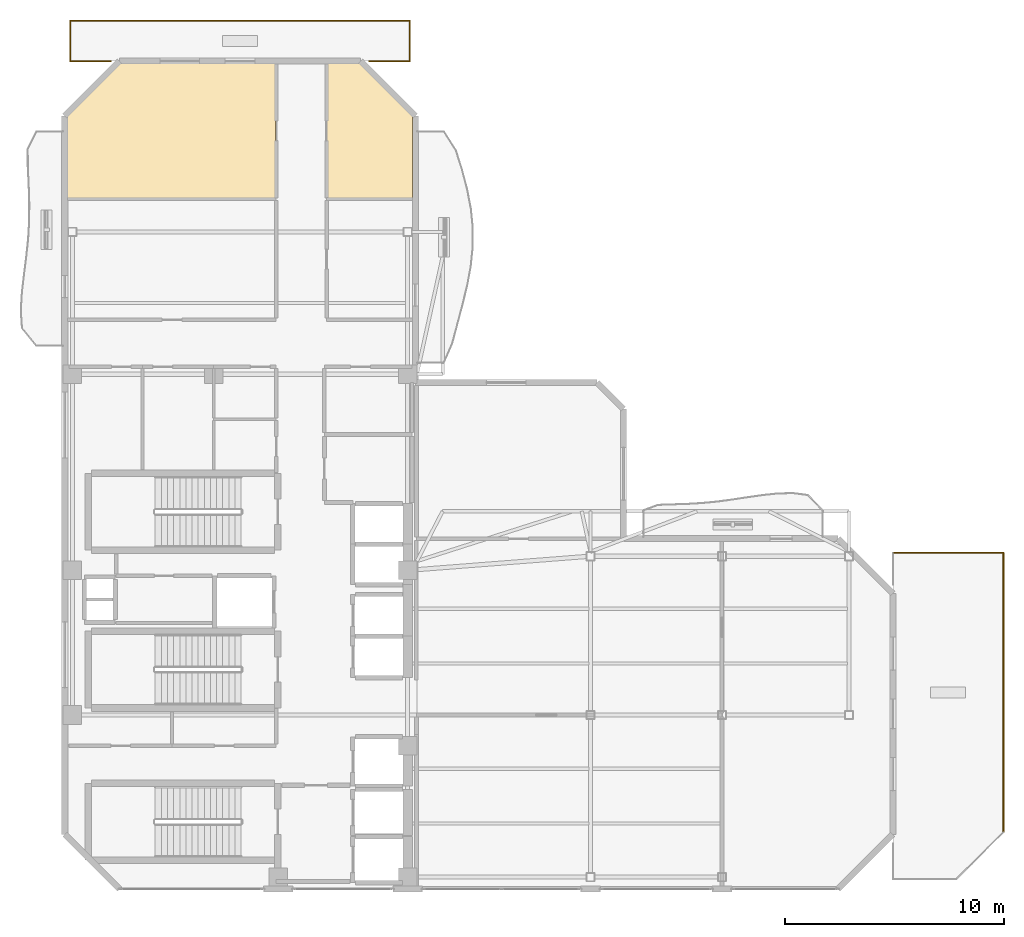
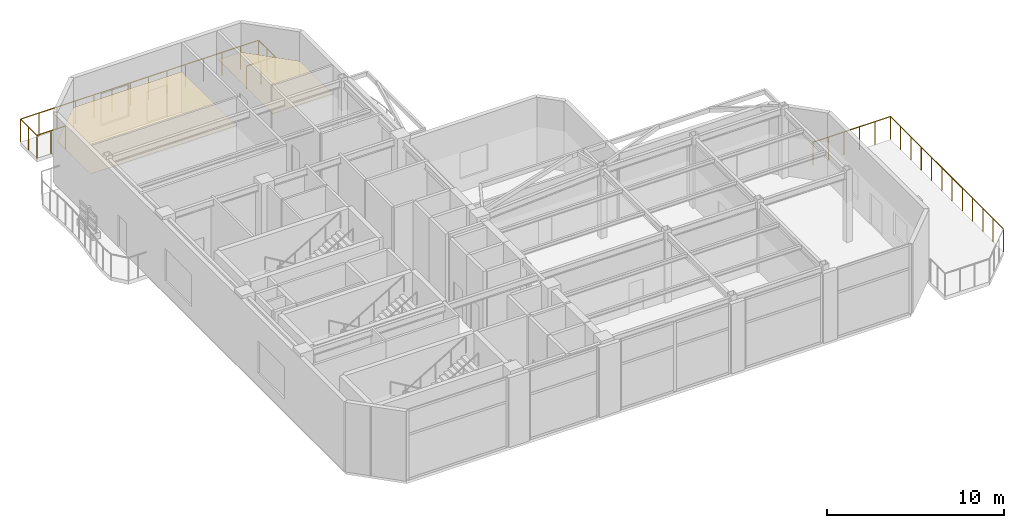
# One storey, part 14 of 14: 7 railings, 2 coverings.
"""IFC4 building model written with IfcOpenShell, lengths in metres."""

from ifc_helpers import new_model, si_unit, direction, frame, origin, origin_2d, place, context, subcontext, project, spatial, polyline, rectangle, outline, extrude, material, layer, layer_set, type_object, element, save


model = new_model("IFC4")

# Units and contexts
model_context = context("Model", 3, precision=1e-05, world=origin(), true_north=direction((0.0, 1.0)))
body_context = subcontext(model_context, "Body", "Model", "MODEL_VIEW")
ifc_project = project(units=[si_unit("LENGTHUNIT", "METRE"), si_unit("AREAUNIT", "SQUARE_METRE"), si_unit("VOLUMEUNIT", "CUBIC_METRE"), si_unit("PLANEANGLEUNIT", "RADIAN"), si_unit("MASSUNIT", "GRAM", prefix="KILO")], contexts=[model_context])

# Site, building, storey
site_placement = place(None, origin())
site = spatial("IfcSite", under=ifc_project, at=site_placement, CompositionType="ELEMENT")
building_placement = place(site_placement, origin())
building = spatial("IfcBuilding", under=site, at=building_placement, Name="Mawjaban Terraces University", CompositionType="ELEMENT")
storey_placement = place(building_placement, frame((0.0, 0.0, 243.199951171875)))
storey = spatial("IfcBuildingStorey", under=building, at=storey_placement, Name="L59", CompositionType="ELEMENT", Elevation=243.199951171875)

# Coverings
ifc_material_1 = material(Name="Acoustic mineral fibre ceiling tile", Category="masonry")
ifc_layer = layer(ifc_material_1, 0.02001953125)
ifc_layer_set = layer_set([ifc_layer], Name="Acoustic mineral fibre ceiling tile")
covering_type = type_object("IfcCoveringType", Name="AcousticMineralCeiling_20", PredefinedType="CEILING", material=ifc_layer_set)
covering_1_placement = place(storey_placement, frame((0.0, 0.0, 2.75)))
element("IfcCovering", 1, at=covering_1_placement, inside=storey, type_object=covering_type, Name="L59 Academic Fellows Office Acoustic Ceiling", PredefinedType="CEILING", context=body_context, shape_type="SweptSolid", body=[
    extrude(outline(polyline([(37.885009765625, 31.530029296875), (37.885009765625, 35.2529296875), (35.452880859375, 37.68505859375), (33.97998046875, 37.68505859375), (33.97998046875, 31.530029296875), (37.885009765625, 31.530029296875)])), origin(), (0.0, 0.0, 1.0), 0.02001953125),
])
covering_2_placement = place(storey_placement, frame((0.0, 0.0, 2.75)))
element("IfcCovering", 2, at=covering_2_placement, inside=storey, type_object=covering_type, Name="L59 Research Fellows Tea Pantry Acoustic Ceiling", PredefinedType="CEILING", context=body_context, shape_type="SweptSolid", body=[
    extrude(outline(polyline([(31.6201171875, 37.68505859375), (24.547119140625, 37.68505859375), (22.114990234375, 35.2529296875), (22.114990234375, 31.530029296875), (31.6201171875, 31.530029296875), (31.6201171875, 37.68505859375)])), origin(), (0.0, 0.0, 1.0), 0.02001953125),
])

# Railings
ifc_material_2 = material(Name="Galvanised powder-coated steel S355", Category="steel")
railing_type = type_object("IfcRailingType", Name="BalconyBalustrade_1600", PredefinedType="BALUSTRADE", material=ifc_material_2)
railing_1_placement = place(storey_placement, frame((64.85009765625, 2.60009765625, 0.0)))
element("IfcRailing", 3, at=railing_1_placement, inside=storey, type_object=railing_type, Name="L59 Terrace Guardrail TER-L59-EAST.3", PredefinedType="BALUSTRADE", context=body_context, shape_type="SweptSolid", body=[
    extrude(rectangle(XDim=0.048095703125, YDim=0.048095703125, at=origin_2d()), frame((0.0, 0.0, 1.576171875), z_axis=(0.0, 1.0, 0.0), x_axis=(-1.0, 0.0, 0.0)), (0.0, 0.0, 1.0), 12.75),
    extrude(rectangle(XDim=0.0419921875, YDim=0.0419921875, at=origin_2d()), origin(), (0.0, 0.0, 1.0), 1.552001953125),
    extrude(rectangle(XDim=0.0419921875, YDim=0.0419921875, at=origin_2d()), frame((0.0, 1.1591796875, 0.0)), (0.0, 0.0, 1.0), 1.552001953125),
    extrude(rectangle(XDim=0.0419921875, YDim=0.0419921875, at=origin_2d()), frame((0.0, 2.318115234375, 0.0)), (0.0, 0.0, 1.0), 1.552001953125),
    extrude(rectangle(XDim=0.0419921875, YDim=0.0419921875, at=origin_2d()), frame((0.0, 3.477294921875, 0.0)), (0.0, 0.0, 1.0), 1.552001953125),
    extrude(rectangle(XDim=0.0419921875, YDim=0.0419921875, at=origin_2d()), frame((0.0, 4.636474609375, 0.0)), (0.0, 0.0, 1.0), 1.552001953125),
    extrude(rectangle(XDim=0.0419921875, YDim=0.0419921875, at=origin_2d()), frame((0.0, 5.79541015625, 0.0)), (0.0, 0.0, 1.0), 1.552001953125),
    extrude(rectangle(XDim=0.0419921875, YDim=0.0419921875, at=origin_2d()), frame((0.0, 6.95458984375, 0.0)), (0.0, 0.0, 1.0), 1.552001953125),
    extrude(rectangle(XDim=0.0419921875, YDim=0.0419921875, at=origin_2d()), frame((0.0, 8.113525390625, 0.0)), (0.0, 0.0, 1.0), 1.552001953125),
    extrude(rectangle(XDim=0.0419921875, YDim=0.0419921875, at=origin_2d()), frame((0.0, 9.272705078125, 0.0)), (0.0, 0.0, 1.0), 1.552001953125),
    extrude(rectangle(XDim=0.0419921875, YDim=0.0419921875, at=origin_2d()), frame((0.0, 10.431884765625, 0.0)), (0.0, 0.0, 1.0), 1.552001953125),
    extrude(rectangle(XDim=0.0419921875, YDim=0.0419921875, at=origin_2d()), frame((0.0, 11.5908203125, 0.0)), (0.0, 0.0, 1.0), 1.552001953125),
    extrude(rectangle(XDim=0.0419921875, YDim=0.0419921875, at=origin_2d()), frame((0.0, 12.75, 0.0)), (0.0, 0.0, 1.0), 1.552001953125),
])
railing_2_placement = place(storey_placement, frame((64.85009765625, 15.35009765625, 0.0)))
element("IfcRailing", 4, at=railing_2_placement, inside=storey, type_object=railing_type, Name="L59 Terrace Guardrail TER-L59-EAST.4", PredefinedType="BALUSTRADE", context=body_context, shape_type="SweptSolid", body=[
    extrude(rectangle(XDim=0.048095703125, YDim=0.048095703125, at=origin_2d()), frame((0.0, 0.0, 1.576171875), z_axis=(-1.0, 0.0, 0.0), x_axis=(0.0, -1.0, 0.0)), (0.0, 0.0, 1.0), 5.050048828125),
    extrude(rectangle(XDim=0.0419921875, YDim=0.0419921875, at=origin_2d()), origin(), (0.0, 0.0, 1.0), 1.552001953125),
    extrude(rectangle(XDim=0.0419921875, YDim=0.0419921875, at=origin_2d()), frame((-1.010009765625, 0.0, 0.0)), (0.0, 0.0, 1.0), 1.552001953125),
    extrude(rectangle(XDim=0.0419921875, YDim=0.0419921875, at=origin_2d()), frame((-2.02001953125, 0.0, 0.0)), (0.0, 0.0, 1.0), 1.552001953125),
    extrude(rectangle(XDim=0.0419921875, YDim=0.0419921875, at=origin_2d()), frame((-3.030029296875, 0.0, 0.0)), (0.0, 0.0, 1.0), 1.552001953125),
    extrude(rectangle(XDim=0.0419921875, YDim=0.0419921875, at=origin_2d()), frame((-4.0400390625, 0.0, 0.0)), (0.0, 0.0, 1.0), 1.552001953125),
    extrude(rectangle(XDim=0.0419921875, YDim=0.0419921875, at=origin_2d()), frame((-5.050048828125, 0.0, 0.0)), (0.0, 0.0, 1.0), 1.552001953125),
])
for number, where, name in (
    (5, (22.25, 37.800048828125, 0.0), "L59 Terrace Guardrail TER-L59-NORTH.1"),
    (6, (35.89599609375, 37.800048828125, 0.0), "L59 Terrace Guardrail TER-L59-NORTH.2"),
):
    element("IfcRailing", number, at=place(storey_placement, frame(where)), inside=storey, type_object=railing_type, Name=name, PredefinedType="BALUSTRADE", context=body_context, shape_type="SweptSolid", body=[
        extrude(rectangle(XDim=0.048095703125, YDim=0.048095703125, at=origin_2d()), frame((0.0, 0.0, 1.576171875), z_axis=(1.0, 0.0, 0.0), x_axis=(0.0, 1.0, 0.0)), (0.0, 0.0, 1.0), 1.85400390625),
        extrude(rectangle(XDim=0.0419921875, YDim=0.0419921875, at=origin_2d()), origin(), (0.0, 0.0, 1.0), 1.552001953125),
        extrude(rectangle(XDim=0.0419921875, YDim=0.0419921875, at=origin_2d()), frame((0.927001953125, 0.0, 0.0)), (0.0, 0.0, 1.0), 1.552001953125),
        extrude(rectangle(XDim=0.0419921875, YDim=0.0419921875, at=origin_2d()), frame((1.85400390625, 0.0, 0.0)), (0.0, 0.0, 1.0), 1.552001953125),
    ])
railing_3_placement = place(storey_placement, frame((37.75, 37.800048828125, 0.0)))
element("IfcRailing", 7, at=railing_3_placement, inside=storey, type_object=railing_type, Name="L59 Terrace Guardrail TER-L59-NORTH.3", PredefinedType="BALUSTRADE", context=body_context, shape_type="SweptSolid", body=[
    extrude(rectangle(XDim=0.048095703125, YDim=0.048095703125, at=origin_2d()), frame((0.0, 0.0, 1.576171875), z_axis=(0.0, 1.0, 0.0), x_axis=(-1.0, 0.0, 0.0)), (0.0, 0.0, 1.0), 1.849853515625),
    extrude(rectangle(XDim=0.0419921875, YDim=0.0419921875, at=origin_2d()), origin(), (0.0, 0.0, 1.0), 1.552001953125),
    extrude(rectangle(XDim=0.0419921875, YDim=0.0419921875, at=origin_2d()), frame((0.0, 0.9248046875, 0.0)), (0.0, 0.0, 1.0), 1.552001953125),
    extrude(rectangle(XDim=0.0419921875, YDim=0.0419921875, at=origin_2d()), frame((0.0, 1.849853515625, 0.0)), (0.0, 0.0, 1.0), 1.552001953125),
])
railing_4_placement = place(storey_placement, frame((37.75, 39.64990234375, 0.0)))
element("IfcRailing", 8, at=railing_4_placement, inside=storey, type_object=railing_type, Name="L59 Terrace Guardrail TER-L59-NORTH.4", PredefinedType="BALUSTRADE", context=body_context, shape_type="SweptSolid", body=[
    extrude(rectangle(XDim=0.048095703125, YDim=0.048095703125, at=origin_2d()), frame((0.0, 0.0, 1.576171875), z_axis=(-1.0, 0.0, 0.0), x_axis=(0.0, -1.0, 0.0)), (0.0, 0.0, 1.0), 15.5),
    extrude(rectangle(XDim=0.0419921875, YDim=0.0419921875, at=origin_2d()), origin(), (0.0, 0.0, 1.0), 1.552001953125),
    extrude(rectangle(XDim=0.0419921875, YDim=0.0419921875, at=origin_2d()), frame((-1.1923828125, 0.0, 0.0)), (0.0, 0.0, 1.0), 1.552001953125),
    extrude(rectangle(XDim=0.0419921875, YDim=0.0419921875, at=origin_2d()), frame((-2.384521484375, 0.0, 0.0)), (0.0, 0.0, 1.0), 1.552001953125),
    extrude(rectangle(XDim=0.0419921875, YDim=0.0419921875, at=origin_2d()), frame((-3.576904296875, 0.0, 0.0)), (0.0, 0.0, 1.0), 1.552001953125),
    extrude(rectangle(XDim=0.0419921875, YDim=0.0419921875, at=origin_2d()), frame((-4.769287109375, 0.0, 0.0)), (0.0, 0.0, 1.0), 1.552001953125),
    extrude(rectangle(XDim=0.0419921875, YDim=0.0419921875, at=origin_2d()), frame((-5.96142578125, 0.0, 0.0)), (0.0, 0.0, 1.0), 1.552001953125),
    extrude(rectangle(XDim=0.0419921875, YDim=0.0419921875, at=origin_2d()), frame((-7.15380859375, 0.0, 0.0)), (0.0, 0.0, 1.0), 1.552001953125),
    extrude(rectangle(XDim=0.0419921875, YDim=0.0419921875, at=origin_2d()), frame((-8.34619140625, 0.0, 0.0)), (0.0, 0.0, 1.0), 1.552001953125),
    extrude(rectangle(XDim=0.0419921875, YDim=0.0419921875, at=origin_2d()), frame((-9.53857421875, 0.0, 0.0)), (0.0, 0.0, 1.0), 1.552001953125),
    extrude(rectangle(XDim=0.0419921875, YDim=0.0419921875, at=origin_2d()), frame((-10.730712890625, 0.0, 0.0)), (0.0, 0.0, 1.0), 1.552001953125),
    extrude(rectangle(XDim=0.0419921875, YDim=0.0419921875, at=origin_2d()), frame((-11.923095703125, 0.0, 0.0)), (0.0, 0.0, 1.0), 1.552001953125),
    extrude(rectangle(XDim=0.0419921875, YDim=0.0419921875, at=origin_2d()), frame((-13.115478515625, 0.0, 0.0)), (0.0, 0.0, 1.0), 1.552001953125),
    extrude(rectangle(XDim=0.0419921875, YDim=0.0419921875, at=origin_2d()), frame((-14.3076171875, 0.0, 0.0)), (0.0, 0.0, 1.0), 1.552001953125),
    extrude(rectangle(XDim=0.0419921875, YDim=0.0419921875, at=origin_2d()), frame((-15.5, 0.0, 0.0)), (0.0, 0.0, 1.0), 1.552001953125),
])
railing_5_placement = place(storey_placement, frame((22.25, 39.64990234375, 0.0)))
element("IfcRailing", 9, at=railing_5_placement, inside=storey, type_object=railing_type, Name="L59 Terrace Guardrail TER-L59-NORTH.5", PredefinedType="BALUSTRADE", context=body_context, shape_type="SweptSolid", body=[
    extrude(rectangle(XDim=0.048095703125, YDim=0.048095703125, at=origin_2d()), frame((0.0, 0.0, 1.576171875), z_axis=(0.0, -1.0, 0.0), x_axis=(1.0, 0.0, 0.0)), (0.0, 0.0, 1.0), 1.849853515625),
    extrude(rectangle(XDim=0.0419921875, YDim=0.0419921875, at=origin_2d()), origin(), (0.0, 0.0, 1.0), 1.552001953125),
    extrude(rectangle(XDim=0.0419921875, YDim=0.0419921875, at=origin_2d()), frame((0.0, -0.9248046875, 0.0)), (0.0, 0.0, 1.0), 1.552001953125),
    extrude(rectangle(XDim=0.0419921875, YDim=0.0419921875, at=origin_2d()), frame((0.0, -1.849853515625, 0.0)), (0.0, 0.0, 1.0), 1.552001953125),
])

save(model, "model.ifc")
